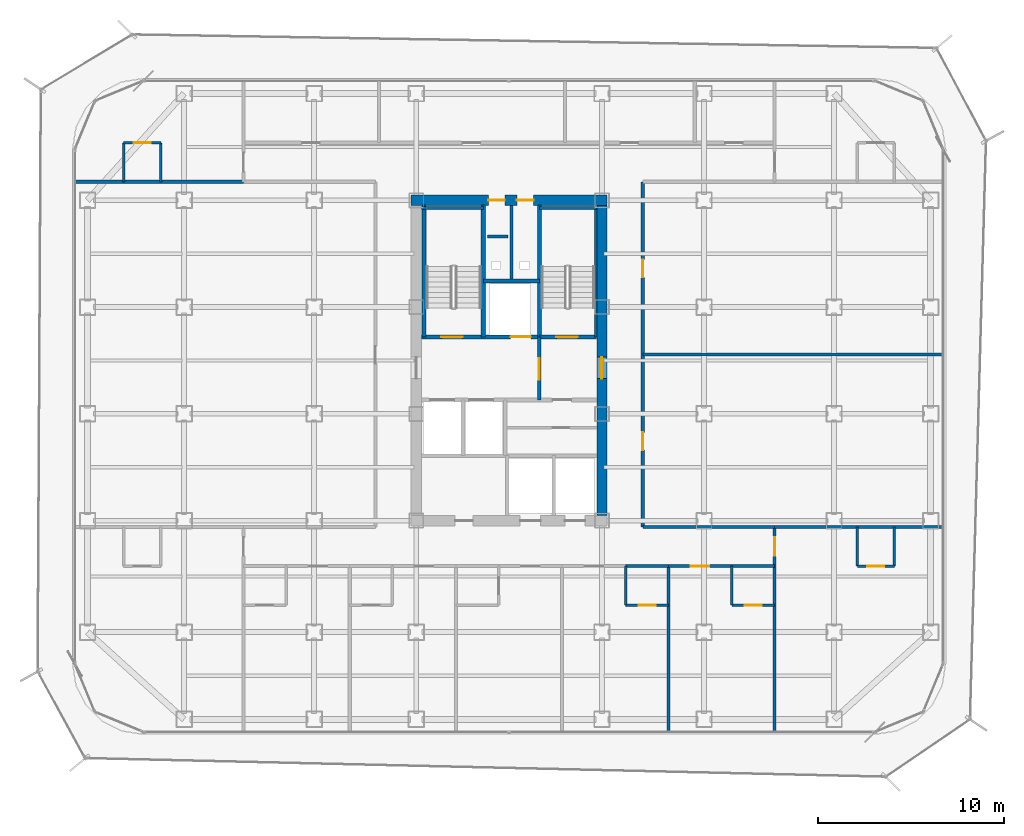
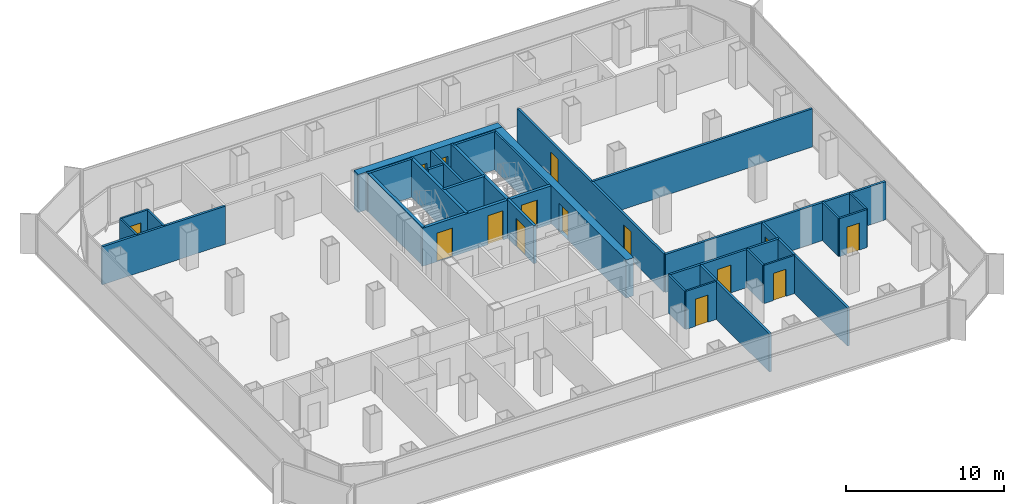
# One storey, part 17 of 21: 34 walls, 15 doors, 15 openings.
"""IFC4 building model written with IfcOpenShell, lengths in metres."""

from ifc_helpers import new_model, si_unit, direction, frame, frame_2d, origin, place, context, subcontext, project, spatial, rectangle, extrude, material, layer, layer_set, type_object, element, fill, save


model = new_model("IFC4")

# Units and contexts
model_context = context("Model", 3, precision=1e-05, world=origin(), true_north=direction((0.0, 1.0)))
body_context = subcontext(model_context, "Body", "Model", "MODEL_VIEW")
ifc_project = project(units=[si_unit("LENGTHUNIT", "METRE"), si_unit("AREAUNIT", "SQUARE_METRE"), si_unit("VOLUMEUNIT", "CUBIC_METRE"), si_unit("PLANEANGLEUNIT", "RADIAN"), si_unit("MASSUNIT", "GRAM", prefix="KILO")], contexts=[model_context])

# Site, building, storey
site_placement = place(None, origin())
site = spatial("IfcSite", under=ifc_project, at=site_placement, CompositionType="ELEMENT")
building_placement = place(site_placement, origin())
building = spatial("IfcBuilding", under=site, at=building_placement, Name="Kolveth Station Tower", CompositionType="ELEMENT")
storey_placement = place(building_placement, frame((0.0, 0.0, 102.300048828125)))
storey = spatial("IfcBuildingStorey", under=building, at=storey_placement, Name="L27", CompositionType="ELEMENT", Elevation=102.300048828125)

# Wall, openings, doors
ifc_material_1 = material(Name="Concrete C60/75", Category="concrete")
ifc_layer_1 = layer(ifc_material_1, 0.550048828125)
ifc_layer_set_1 = layer_set([ifc_layer_1], Name="Concrete C60/75")
wall_type_1 = type_object("IfcWallType", Name="Wall_CW-550", PredefinedType="SHEAR", material=ifc_layer_set_1)
wall_1_placement = place(storey_placement, frame((18.22509765625, 28.75, 0.0), z_axis=(0.0, 0.0, 1.0), x_axis=(1.0, 0.0, 0.0)))
wall_1 = element("IfcWall", 1, at=wall_1_placement, inside=storey, type_object=wall_type_1, Name="L27 Core RC Shear Wall N", PredefinedType="SHEAR", context=body_context, shape_type="SweptSolid", body=[
    extrude(rectangle(XDim=10.5498046875, YDim=0.550048828125, at=frame_2d((5.27490234375, 0.0))), origin(), (0.0, 0.0, 1.0), 2.949951171875),
])
opening_1_placement = place(wall_1_placement, frame((4.155029296875, 0.0, 0.0)))
opening_1 = element("IfcOpeningElement", 2, at=opening_1_placement, cuts=wall_1, Name="Opening RD1", PredefinedType="OPENING", context=body_context, shape_type="SweptSolid", body=[
    extrude(rectangle(XDim=0.89990234375, YDim=2.050048828125, at=frame_2d((0.449951171875, 1.02490234375))), frame((0.0, 0.284912109375, 0.0), z_axis=(0.0, -1.0, 0.0), x_axis=(1.0, 0.0, 0.0)), (0.0, 0.0, 1.0), 0.570068359375),
])
opening_2_placement = place(wall_1_placement, frame((5.695068359375, 0.0, 0.0)))
opening_2 = element("IfcOpeningElement", 3, at=opening_2_placement, cuts=wall_1, Name="Opening RD1", PredefinedType="OPENING", context=body_context, shape_type="SweptSolid", body=[
    extrude(rectangle(XDim=0.89990234375, YDim=2.050048828125, at=frame_2d((0.449951171875, 1.02490234375))), frame((0.0, 0.284912109375, 0.0), z_axis=(0.0, -1.0, 0.0), x_axis=(1.0, 0.0, 0.0)), (0.0, 0.0, 1.0), 0.570068359375),
])
ifc_material_2 = material(Name="Fire-rated Steel S355 riser access leaf", Category="steel")
door_type_1 = type_object("IfcDoorType", Name="Door_RD1", OperationType="NOTDEFINED", PredefinedType="DOOR", material=ifc_material_2)
door_1_placement = place(opening_1_placement, origin())
door_1 = element("IfcDoor", 4, at=door_1_placement, inside=storey, type_object=door_type_1, Name="L27 Electrical Riser Access Door", OperationType="SINGLE_SWING_LEFT", OverallHeight=2.050048828125, OverallWidth=0.89990234375, PredefinedType="DOOR", context=body_context, shape_type="SweptSolid", body=[
    extrude(rectangle(XDim=0.89990234375, YDim=2.050048828125, at=frame_2d((0.449951171875, 1.02490234375))), frame((0.0, 0.02490234375, 0.0), z_axis=(0.0, -1.0, 0.0), x_axis=(1.0, 0.0, 0.0)), (0.0, 0.0, 1.0), 0.050048828125),
])
fill(opening_1, door_1)
door_2_placement = place(opening_2_placement, origin())
door_2 = element("IfcDoor", 5, at=door_2_placement, inside=storey, type_object=door_type_1, Name="L27 Smoke Duct Access Door", OperationType="SINGLE_SWING_RIGHT", OverallHeight=2.050048828125, OverallWidth=0.89990234375, PredefinedType="DOOR", context=body_context, shape_type="SweptSolid", body=[
    extrude(rectangle(XDim=0.89990234375, YDim=2.050048828125, at=frame_2d((0.449951171875, 1.02490234375))), frame((0.0, 0.02490234375, 0.0), z_axis=(0.0, -1.0, 0.0), x_axis=(1.0, 0.0, 0.0)), (0.0, 0.0, 1.0), 0.050048828125),
])
fill(opening_2, door_2)

# Wall, opening, door
wall_2_placement = place(storey_placement, frame((28.5, 11.77490234375, 0.0), z_axis=(0.0, 0.0, 1.0), x_axis=(0.0, 1.0, 0.0)))
wall_2 = element("IfcWall", 6, at=wall_2_placement, inside=storey, type_object=wall_type_1, Name="L27 Core RC Shear Wall E", PredefinedType="SHEAR", context=body_context, shape_type="SweptSolid", body=[
    extrude(rectangle(XDim=16.7001953125, YDim=0.550048828125, at=frame_2d((8.35009765625, 0.0))), origin(), (0.0, 0.0, 1.0), 2.949951171875),
])
opening_3_placement = place(wall_2_placement, frame((7.375, 0.0, 0.0)))
opening_3 = element("IfcOpeningElement", 7, at=opening_3_placement, cuts=wall_2, Name="Opening FD1", PredefinedType="OPENING", context=body_context, shape_type="SweptSolid", body=[
    extrude(rectangle(XDim=1.14990234375, YDim=2.199951171875, at=frame_2d((0.574951171875, 1.10009765625))), frame((0.0, 0.284912109375, 0.0), z_axis=(0.0, -1.0, 0.0), x_axis=(1.0, 0.0, 0.0)), (0.0, 0.0, 1.0), 0.570068359375),
])
ifc_material_3 = material(Name="Fire-rated Steel S355 leaf and frame", Category="steel")
door_type_2 = type_object("IfcDoorType", Name="Door_FD1", OperationType="NOTDEFINED", PredefinedType="DOOR", material=ifc_material_3)
door_3_placement = place(opening_3_placement, origin())
door_3 = element("IfcDoor", 8, at=door_3_placement, inside=storey, type_object=door_type_2, Name="L27 East Corridor to Stair Lobby Door", OperationType="SINGLE_SWING_RIGHT", OverallHeight=2.199951171875, OverallWidth=1.14990234375, PredefinedType="DOOR", context=body_context, shape_type="SweptSolid", body=[
    extrude(rectangle(XDim=1.14990234375, YDim=2.199951171875, at=frame_2d((0.574951171875, 1.10009765625))), frame((0.0, 0.02490234375, 0.0), z_axis=(0.0, -1.0, 0.0), x_axis=(1.0, 0.0, 0.0)), (0.0, 0.0, 1.0), 0.050048828125),
])
fill(opening_3, door_3)

# Walls
ifc_material_4 = material(Name="Moisture-resistant gypsum partition")
ifc_layer_2 = layer(ifc_material_4, 0.135009765625)
ifc_layer_set_2 = layer_set([ifc_layer_2], Name="Moisture-resistant gypsum partition")
wall_type_2 = type_object("IfcWallType", Name="Wall_IW-135", PredefinedType="PARTITIONING", material=ifc_layer_set_2)
wall_3_placement = place(storey_placement, frame((28.16748046875, 21.389892578125, 0.0), z_axis=(0.0, 0.0, 1.0), x_axis=(0.0, 1.0, 0.0)))
element("IfcWall", 9, at=wall_3_placement, inside=storey, type_object=wall_type_2, Name="L27 Stair Shaft Wall WL-L27-ST2-E", PredefinedType="PARTITIONING", context=body_context, shape_type="SweptSolid", body=[
    extrude(rectangle(XDim=6.945068359375, YDim=0.135009765625, at=frame_2d((3.47265625, 0.0))), origin(), (0.0, 0.0, 1.0), 2.949951171875),
])
for number, where, z_axis, x_axis, name in (
    (10, (2.75, 29.75, 0.0), (0.0, 0.0, 1.0), (0.0, 1.0, 0.0), "L27 Partition Wall WL-L27-WS2-BV1"),
    (11, (4.75, 29.75, 0.0), (0.0, 0.0, 1.0), (0.0, 1.0, 0.0), "L27 Partition Wall WL-L27-WS2-BV2"),
):
    element("IfcWall", number, at=place(storey_placement, frame(where, z_axis=z_axis, x_axis=x_axis)), inside=storey, type_object=wall_type_2, Name=name, PredefinedType="PARTITIONING", context=body_context, shape_type="SweptSolid", body=[
        extrude(rectangle(XDim=2.10009765625, YDim=0.135009765625, at=frame_2d((1.050048828125, 0.0))), origin(), (0.0, 0.0, 1.0), 2.949951171875),
    ])

# Wall, opening, door
wall_4_placement = place(storey_placement, frame((2.75, 31.85009765625, 0.0), z_axis=(0.0, 0.0, 1.0), x_axis=(1.0, 0.0, 0.0)))
wall_4 = element("IfcWall", 12, at=wall_4_placement, inside=storey, type_object=wall_type_2, Name="L27 Partition Wall WL-L27-WS2-BH", PredefinedType="PARTITIONING", context=body_context, shape_type="SweptSolid", body=[
    extrude(rectangle(XDim=2.0, YDim=0.135009765625, at=frame_2d((1.0, 0.0))), origin(), (0.0, 0.0, 1.0), 2.949951171875),
])
opening_4_placement = place(wall_4_placement, frame((0.5400390625, 0.0, 0.0)))
opening_4 = element("IfcOpeningElement", 13, at=opening_4_placement, cuts=wall_4, Name="Opening ID2", PredefinedType="OPENING", context=body_context, shape_type="SweptSolid", body=[
    extrude(rectangle(XDim=0.919921875, YDim=2.10009765625, at=frame_2d((0.4599609375, 1.050048828125))), frame((0.0, 0.077392578125, 0.0), z_axis=(0.0, -1.0, 0.0), x_axis=(1.0, 0.0, 0.0)), (0.0, 0.0, 1.0), 0.155029296875),
])
ifc_material_5 = material(Name="Moisture-resistant hardwood leaf", Category="wood")
door_type_3 = type_object("IfcDoorType", Name="Door_ID2", OperationType="NOTDEFINED", PredefinedType="DOOR", material=ifc_material_5)
door_4_placement = place(opening_4_placement, frame((0.919921875, 0.0, 0.0), z_axis=(0.0, 0.0, 1.0), x_axis=(-1.0, 0.0, 0.0)))
door_4 = element("IfcDoor", 14, at=door_4_placement, inside=storey, type_object=door_type_3, Name="L27 Hotel Guest Room WS2 En-Suite Door", OperationType="SINGLE_SWING_RIGHT", OverallHeight=2.10009765625, OverallWidth=0.919921875, PredefinedType="DOOR", context=body_context, shape_type="SweptSolid", body=[
    extrude(rectangle(XDim=0.919921875, YDim=2.10009765625, at=frame_2d((0.4599609375, 1.050048828125))), frame((0.0, 0.02490234375, 0.0), z_axis=(0.0, -1.0, 0.0), x_axis=(1.0, 0.0, 0.0)), (0.0, 0.0, 1.0), 0.050048828125),
])
fill(opening_4, door_4)

# Walls
for number, where, z_axis, x_axis, name in (
    (15, (42.25, 9.050048828125, 0.0), (0.0, 0.0, 1.0), (0.0, 1.0, 0.0), "L27 Partition Wall WL-L27-ES1-BV1"),
    (16, (44.25, 9.050048828125, 0.0), (0.0, 0.0, 1.0), (0.0, 1.0, 0.0), "L27 Partition Wall WL-L27-ES1-BV2"),
):
    element("IfcWall", number, at=place(storey_placement, frame(where, z_axis=z_axis, x_axis=x_axis)), inside=storey, type_object=wall_type_2, Name=name, PredefinedType="PARTITIONING", context=body_context, shape_type="SweptSolid", body=[
        extrude(rectangle(XDim=2.099853515625, YDim=0.135009765625, at=frame_2d((1.0498046875, 0.0))), origin(), (0.0, 0.0, 1.0), 2.949951171875),
    ])

# Wall, opening, door
wall_5_placement = place(storey_placement, frame((42.25, 9.050048828125, 0.0), z_axis=(0.0, 0.0, 1.0), x_axis=(1.0, 0.0, 0.0)))
wall_5 = element("IfcWall", 17, at=wall_5_placement, inside=storey, type_object=wall_type_2, Name="L27 Partition Wall WL-L27-ES1-BH", PredefinedType="PARTITIONING", context=body_context, shape_type="SweptSolid", body=[
    extrude(rectangle(XDim=2.0, YDim=0.135009765625, at=frame_2d((1.0, 0.0))), origin(), (0.0, 0.0, 1.0), 2.949951171875),
])
opening_5_placement = place(wall_5_placement, frame((0.5400390625, 0.0, 0.0)))
opening_5 = element("IfcOpeningElement", 18, at=opening_5_placement, cuts=wall_5, Name="Opening ID2", PredefinedType="OPENING", context=body_context, shape_type="SweptSolid", body=[
    extrude(rectangle(XDim=0.919921875, YDim=2.10009765625, at=frame_2d((0.4599609375, 1.050048828125))), frame((0.0, 0.077392578125, 0.0), z_axis=(0.0, -1.0, 0.0), x_axis=(1.0, 0.0, 0.0)), (0.0, 0.0, 1.0), 0.155029296875),
])
door_5_placement = place(opening_5_placement, origin())
door_5 = element("IfcDoor", 19, at=door_5_placement, inside=storey, type_object=door_type_3, Name="L27 Hotel Corner Suite ES1 En-Suite Door", OperationType="SINGLE_SWING_RIGHT", OverallHeight=2.10009765625, OverallWidth=0.919921875, PredefinedType="DOOR", context=body_context, shape_type="SweptSolid", body=[
    extrude(rectangle(XDim=0.919921875, YDim=2.10009765625, at=frame_2d((0.4599609375, 1.050048828125))), frame((0.0, 0.02490234375, 0.0), z_axis=(0.0, -1.0, 0.0), x_axis=(1.0, 0.0, 0.0)), (0.0, 0.0, 1.0), 0.050048828125),
])
fill(opening_5, door_5)

# Wall
wall_6_placement = place(storey_placement, frame((29.780029296875, 6.949951171875, 0.0), z_axis=(0.0, 0.0, 1.0), x_axis=(0.0, 1.0, 0.0)))
element("IfcWall", 20, at=wall_6_placement, inside=storey, type_object=wall_type_2, Name="L27 Partition Wall WL-L27-HS4-BV", PredefinedType="PARTITIONING", context=body_context, shape_type="SweptSolid", body=[
    extrude(rectangle(XDim=2.10009765625, YDim=0.135009765625, at=frame_2d((1.050048828125, 0.0))), origin(), (0.0, 0.0, 1.0), 2.949951171875),
])

# Wall, opening, door
wall_7_placement = place(storey_placement, frame((29.780029296875, 6.949951171875, 0.0), z_axis=(0.0, 0.0, 1.0), x_axis=(1.0, 0.0, 0.0)))
wall_7 = element("IfcWall", 21, at=wall_7_placement, inside=storey, type_object=wall_type_2, Name="L27 Partition Wall WL-L27-HS4-BH", PredefinedType="PARTITIONING", context=body_context, shape_type="SweptSolid", body=[
    extrude(rectangle(XDim=2.300048828125, YDim=0.135009765625, at=frame_2d((1.14990234375, 0.0))), origin(), (0.0, 0.0, 1.0), 2.949951171875),
])
opening_6_placement = place(wall_7_placement, frame((0.68994140625, 0.0, 0.0)))
opening_6 = element("IfcOpeningElement", 22, at=opening_6_placement, cuts=wall_7, Name="Opening ID2", PredefinedType="OPENING", context=body_context, shape_type="SweptSolid", body=[
    extrude(rectangle(XDim=0.919921875, YDim=2.10009765625, at=frame_2d((0.4599609375, 1.050048828125))), frame((0.0, 0.077392578125, 0.0), z_axis=(0.0, -1.0, 0.0), x_axis=(1.0, 0.0, 0.0)), (0.0, 0.0, 1.0), 0.155029296875),
])
door_6_placement = place(opening_6_placement, origin())
door_6 = element("IfcDoor", 23, at=door_6_placement, inside=storey, type_object=door_type_3, Name="L27 Hotel Guest Room HS4 En-Suite Door", OperationType="SINGLE_SWING_RIGHT", OverallHeight=2.10009765625, OverallWidth=0.919921875, PredefinedType="DOOR", context=body_context, shape_type="SweptSolid", body=[
    extrude(rectangle(XDim=0.919921875, YDim=2.10009765625, at=frame_2d((0.4599609375, 1.050048828125))), frame((0.0, 0.02490234375, 0.0), z_axis=(0.0, -1.0, 0.0), x_axis=(1.0, 0.0, 0.0)), (0.0, 0.0, 1.0), 0.050048828125),
])
fill(opening_6, door_6)

# Wall
wall_8_placement = place(storey_placement, frame((35.5, 6.949951171875, 0.0), z_axis=(0.0, 0.0, 1.0), x_axis=(0.0, 1.0, 0.0)))
element("IfcWall", 24, at=wall_8_placement, inside=storey, type_object=wall_type_2, Name="L27 Partition Wall WL-L27-HS5-BV", PredefinedType="PARTITIONING", context=body_context, shape_type="SweptSolid", body=[
    extrude(rectangle(XDim=2.10009765625, YDim=0.135009765625, at=frame_2d((1.050048828125, 0.0))), origin(), (0.0, 0.0, 1.0), 2.949951171875),
])

# Wall, opening, door
wall_9_placement = place(storey_placement, frame((35.5, 6.949951171875, 0.0), z_axis=(0.0, 0.0, 1.0), x_axis=(1.0, 0.0, 0.0)))
wall_9 = element("IfcWall", 25, at=wall_9_placement, inside=storey, type_object=wall_type_2, Name="L27 Partition Wall WL-L27-HS5-BH", PredefinedType="PARTITIONING", context=body_context, shape_type="SweptSolid", body=[
    extrude(rectangle(XDim=2.300048828125, YDim=0.135009765625, at=frame_2d((1.14990234375, 0.0))), origin(), (0.0, 0.0, 1.0), 2.949951171875),
])
opening_7_placement = place(wall_9_placement, frame((0.68994140625, 0.0, 0.0)))
opening_7 = element("IfcOpeningElement", 26, at=opening_7_placement, cuts=wall_9, Name="Opening ID2", PredefinedType="OPENING", context=body_context, shape_type="SweptSolid", body=[
    extrude(rectangle(XDim=0.919921875, YDim=2.10009765625, at=frame_2d((0.4599609375, 1.050048828125))), frame((0.0, 0.077392578125, 0.0), z_axis=(0.0, -1.0, 0.0), x_axis=(1.0, 0.0, 0.0)), (0.0, 0.0, 1.0), 0.155029296875),
])
door_7_placement = place(opening_7_placement, origin())
door_7 = element("IfcDoor", 27, at=door_7_placement, inside=storey, type_object=door_type_3, Name="L27 Hotel Guest Room HS5 En-Suite Door", OperationType="SINGLE_SWING_RIGHT", OverallHeight=2.10009765625, OverallWidth=0.919921875, PredefinedType="DOOR", context=body_context, shape_type="SweptSolid", body=[
    extrude(rectangle(XDim=0.919921875, YDim=2.10009765625, at=frame_2d((0.4599609375, 1.050048828125))), frame((0.0, 0.02490234375, 0.0), z_axis=(0.0, -1.0, 0.0), x_axis=(1.0, 0.0, 0.0)), (0.0, 0.0, 1.0), 0.050048828125),
])
fill(opening_7, door_7)

# Walls
ifc_material_6 = material(Name="Acoustic double-stud gypsum partition")
ifc_layer_3 = layer(ifc_material_6, 0.1650390625)
ifc_layer_set_3 = layer_set([ifc_layer_3], Name="Acoustic double-stud gypsum partition")
wall_type_3 = type_object("IfcWallType", Name="Wall_IW-165", PredefinedType="PARTITIONING", material=ifc_layer_set_3)
wall_10_placement = place(storey_placement, frame((18.784912109375, 28.3349609375, 0.0), z_axis=(0.0, 0.0, 1.0), x_axis=(1.0, 0.0, 0.0)))
element("IfcWall", 28, at=wall_10_placement, inside=storey, type_object=wall_type_3, Name="L27 Stair Shaft Wall WL-L27-ST1-N", PredefinedType="PARTITIONING", context=body_context, shape_type="SweptSolid", body=[
    extrude(rectangle(XDim=3.3251953125, YDim=0.1650390625, at=frame_2d((1.66259765625, 0.0))), origin(), (0.0, 0.0, 1.0), 2.949951171875),
])
wall_11_placement = place(storey_placement, frame((25.1298828125, 28.3349609375, 0.0), z_axis=(0.0, 0.0, 1.0), x_axis=(1.0, 0.0, 0.0)))
element("IfcWall", 29, at=wall_11_placement, inside=storey, type_object=wall_type_3, Name="L27 Stair Shaft Wall WL-L27-ST2-N", PredefinedType="PARTITIONING", context=body_context, shape_type="SweptSolid", body=[
    extrude(rectangle(XDim=3.085205078125, YDim=0.1650390625, at=frame_2d((1.54248046875, 0.0))), origin(), (0.0, 0.0, 1.0), 2.949951171875),
])
wall_12_placement = place(storey_placement, frame((23.6201171875, 24.39990234375, 0.0), z_axis=(0.0, 0.0, 1.0), x_axis=(0.0, 1.0, 0.0)))
element("IfcWall", 30, at=wall_12_placement, inside=storey, type_object=wall_type_3, Name="L27 Partition Wall WL-L27-RSR-M", PredefinedType="PARTITIONING", context=body_context, shape_type="SweptSolid", body=[
    extrude(rectangle(XDim=4.065185546875, YDim=0.1650390625, at=frame_2d((2.03271484375, 0.0))), origin(), (0.0, 0.0, 1.0), 2.949951171875),
])
wall_13_placement = place(storey_placement, frame((30.699951171875, 11.14990234375, 0.0), z_axis=(0.0, 0.0, 1.0), x_axis=(1.0, 0.0, 0.0)))
element("IfcWall", 31, at=wall_13_placement, inside=storey, type_object=wall_type_3, Name="L27 Partition Wall WL-L27-HSET", PredefinedType="PARTITIONING", context=body_context, shape_type="SweptSolid", body=[
    extrude(rectangle(XDim=7.10009765625, YDim=0.1650390625, at=frame_2d((3.550048828125, 0.0))), origin(), (0.0, 0.0, 1.0), 2.949951171875),
])

# Wall, openings, doors
wall_14_placement = place(storey_placement, frame((30.699951171875, 11.14990234375, 0.0), z_axis=(0.0, 0.0, 1.0), x_axis=(0.0, 1.0, 0.0)))
wall_14 = element("IfcWall", 32, at=wall_14_placement, inside=storey, type_object=wall_type_3, Name="L27 Partition Wall WL-L27-HE", PredefinedType="PARTITIONING", context=body_context, shape_type="SweptSolid", body=[
    extrude(rectangle(XDim=18.60009765625, YDim=0.1650390625, at=frame_2d((9.300048828125, 0.0))), origin(), (0.0, 0.0, 1.0), 2.949951171875),
])
opening_8_placement = place(wall_14_placement, frame((4.14990234375, 0.0, 0.0)))
opening_8 = element("IfcOpeningElement", 33, at=opening_8_placement, cuts=wall_14, Name="Opening ID1", PredefinedType="OPENING", context=body_context, shape_type="SweptSolid", body=[
    extrude(rectangle(XDim=0.949951171875, YDim=2.14990234375, at=frame_2d((0.47509765625, 1.074951171875))), frame((0.0, 0.092529296875, 0.0), z_axis=(0.0, -1.0, 0.0), x_axis=(1.0, 0.0, 0.0)), (0.0, 0.0, 1.0), 0.18505859375),
])
opening_9_placement = place(wall_14_placement, frame((13.449951171875, 0.0, 0.0)))
opening_9 = element("IfcOpeningElement", 34, at=opening_9_placement, cuts=wall_14, Name="Opening ID1", PredefinedType="OPENING", context=body_context, shape_type="SweptSolid", body=[
    extrude(rectangle(XDim=0.949951171875, YDim=2.14990234375, at=frame_2d((0.47509765625, 1.074951171875))), frame((0.0, 0.092529296875, 0.0), z_axis=(0.0, -1.0, 0.0), x_axis=(1.0, 0.0, 0.0)), (0.0, 0.0, 1.0), 0.18505859375),
])
ifc_material_7 = material(Name="Acoustic hardwood leaf and aluminium frame", Category="wood")
door_type_4 = type_object("IfcDoorType", Name="Door_ID1", OperationType="NOTDEFINED", PredefinedType="DOOR", material=ifc_material_7)
door_8_placement = place(opening_8_placement, origin())
door_8 = element("IfcDoor", 35, at=door_8_placement, inside=storey, type_object=door_type_4, Name="L27 Hotel Guest Lounge East Door", OperationType="SINGLE_SWING_LEFT", OverallHeight=2.14990234375, OverallWidth=0.949951171875, PredefinedType="DOOR", context=body_context, shape_type="SweptSolid", body=[
    extrude(rectangle(XDim=0.949951171875, YDim=2.14990234375, at=frame_2d((0.47509765625, 1.074951171875))), frame((0.0, 0.02490234375, 0.0), z_axis=(0.0, -1.0, 0.0), x_axis=(1.0, 0.0, 0.0)), (0.0, 0.0, 1.0), 0.050048828125),
])
fill(opening_8, door_8)
door_9_placement = place(opening_9_placement, origin())
door_9 = element("IfcDoor", 36, at=door_9_placement, inside=storey, type_object=door_type_4, Name="L27 Spa Treatment Suite Door", OperationType="SINGLE_SWING_RIGHT", OverallHeight=2.14990234375, OverallWidth=0.949951171875, PredefinedType="DOOR", context=body_context, shape_type="SweptSolid", body=[
    extrude(rectangle(XDim=0.949951171875, YDim=2.14990234375, at=frame_2d((0.47509765625, 1.074951171875))), frame((0.0, 0.02490234375, 0.0), z_axis=(0.0, -1.0, 0.0), x_axis=(1.0, 0.0, 0.0)), (0.0, 0.0, 1.0), 0.050048828125),
])
fill(opening_9, door_9)

# Wall, opening, door
wall_15_placement = place(storey_placement, frame((37.800048828125, 0.159912109375, 0.0), z_axis=(0.0, 0.0, 1.0), x_axis=(0.0, 1.0, 0.0)))
wall_15 = element("IfcWall", 37, at=wall_15_placement, inside=storey, type_object=wall_type_3, Name="L27 Partition Wall WL-L27-END-ES", PredefinedType="PARTITIONING", context=body_context, shape_type="SweptSolid", body=[
    extrude(rectangle(XDim=10.989990234375, YDim=0.1650390625, at=frame_2d((5.4951171875, 0.0))), origin(), (0.0, 0.0, 1.0), 2.949951171875),
])
opening_10_placement = place(wall_15_placement, frame((9.43994140625, 0.0, 0.0)))
opening_10 = element("IfcOpeningElement", 38, at=opening_10_placement, cuts=wall_15, Name="Opening FD3", PredefinedType="OPENING", context=body_context, shape_type="SweptSolid", body=[
    extrude(rectangle(XDim=1.0, YDim=2.14990234375, at=frame_2d((0.5, 1.074951171875))), frame((0.0, 0.092529296875, 0.0), z_axis=(0.0, -1.0, 0.0), x_axis=(1.0, 0.0, 0.0)), (0.0, 0.0, 1.0), 0.18505859375),
])
ifc_material_8 = material(Name="Fire-rated hardwood leaf and aluminium frame", Category="wood")
door_type_5 = type_object("IfcDoorType", Name="Door_FD3", OperationType="NOTDEFINED", PredefinedType="DOOR", material=ifc_material_8)
door_10_placement = place(opening_10_placement, frame((1.0, 0.0, 0.0), z_axis=(0.0, 0.0, 1.0), x_axis=(-1.0, 0.0, 0.0)))
door_10 = element("IfcDoor", 39, at=door_10_placement, inside=storey, type_object=door_type_5, Name="L27 Hotel Corner Suite ES1 Entrance Door", OperationType="SINGLE_SWING_LEFT", OverallHeight=2.14990234375, OverallWidth=1.0, PredefinedType="DOOR", context=body_context, shape_type="SweptSolid", body=[
    extrude(rectangle(XDim=1.0, YDim=2.14990234375, at=frame_2d((0.5, 1.074951171875))), frame((0.0, 0.02490234375, 0.0), z_axis=(0.0, -1.0, 0.0), x_axis=(1.0, 0.0, 0.0)), (0.0, 0.0, 1.0), 0.050048828125),
])
fill(opening_10, door_10)

# Walls
for number, where, z_axis, x_axis, name in (
    (40, (0.159912109375, 29.75, 0.0), (0.0, 0.0, 1.0), (1.0, 0.0, 0.0), "L27 Partition Wall WL-L27-WM2"),
    (41, (37.800048828125, 11.14990234375, 0.0), (0.0, 0.0, 1.0), (1.0, 0.0, 0.0), "L27 Partition Wall WL-L27-EM1"),
):
    element("IfcWall", number, at=place(storey_placement, frame(where, z_axis=z_axis, x_axis=x_axis)), inside=storey, type_object=wall_type_3, Name=name, PredefinedType="PARTITIONING", context=body_context, shape_type="SweptSolid", body=[
        extrude(rectangle(XDim=9.0400390625, YDim=0.1650390625, at=frame_2d((4.52001953125, 0.0))), origin(), (0.0, 0.0, 1.0), 2.949951171875),
    ])
wall_16_placement = place(storey_placement, frame((29.780029296875, 9.050048828125, 0.0), z_axis=(0.0, 0.0, 1.0), x_axis=(1.0, 0.0, 0.0)))
element("IfcWall", 42, at=wall_16_placement, inside=storey, type_object=wall_type_3, Name="L27 Partition Wall WL-L27-HS4-BCOR", PredefinedType="PARTITIONING", context=body_context, shape_type="SweptSolid", body=[
    extrude(rectangle(XDim=2.300048828125, YDim=0.1650390625, at=frame_2d((1.14990234375, 0.0))), origin(), (0.0, 0.0, 1.0), 2.949951171875),
])
wall_17_placement = place(storey_placement, frame((32.080078125, 0.159912109375, 0.0), z_axis=(0.0, 0.0, 1.0), x_axis=(0.0, 1.0, 0.0)))
element("IfcWall", 43, at=wall_17_placement, inside=storey, type_object=wall_type_3, Name="L27 Partition Wall WL-L27-HSK-4", PredefinedType="PARTITIONING", context=body_context, shape_type="SweptSolid", body=[
    extrude(rectangle(XDim=8.89013671875, YDim=0.1650390625, at=frame_2d((4.445068359375, 0.0))), origin(), (0.0, 0.0, 1.0), 2.949951171875),
])
wall_18_placement = place(storey_placement, frame((35.5, 9.050048828125, 0.0), z_axis=(0.0, 0.0, 1.0), x_axis=(1.0, 0.0, 0.0)))
element("IfcWall", 44, at=wall_18_placement, inside=storey, type_object=wall_type_3, Name="L27 Partition Wall WL-L27-HS5-BCOR", PredefinedType="PARTITIONING", context=body_context, shape_type="SweptSolid", body=[
    extrude(rectangle(XDim=2.300048828125, YDim=0.1650390625, at=frame_2d((1.14990234375, 0.0))), origin(), (0.0, 0.0, 1.0), 2.949951171875),
])

# Wall, opening, door
wall_19_placement = place(storey_placement, frame((32.080078125, 9.050048828125, 0.0), z_axis=(0.0, 0.0, 1.0), x_axis=(1.0, 0.0, 0.0)))
wall_19 = element("IfcWall", 45, at=wall_19_placement, inside=storey, type_object=wall_type_3, Name="L27 Partition Wall WL-L27-HS5-RCOR", PredefinedType="PARTITIONING", context=body_context, shape_type="SweptSolid", body=[
    extrude(rectangle(XDim=3.419921875, YDim=0.1650390625, at=frame_2d((1.7099609375, 0.0))), origin(), (0.0, 0.0, 1.0), 2.949951171875),
])
opening_11_placement = place(wall_19_placement, frame((1.2099609375, 0.0, 0.0)))
opening_11 = element("IfcOpeningElement", 46, at=opening_11_placement, cuts=wall_19, Name="Opening FD3", PredefinedType="OPENING", context=body_context, shape_type="SweptSolid", body=[
    extrude(rectangle(XDim=1.0, YDim=2.14990234375, at=frame_2d((0.5, 1.074951171875))), frame((0.0, 0.092529296875, 0.0), z_axis=(0.0, -1.0, 0.0), x_axis=(1.0, 0.0, 0.0)), (0.0, 0.0, 1.0), 0.18505859375),
])
door_11_placement = place(opening_11_placement, frame((1.0, 0.0, 0.0), z_axis=(0.0, 0.0, 1.0), x_axis=(-1.0, 0.0, 0.0)))
door_11 = element("IfcDoor", 47, at=door_11_placement, inside=storey, type_object=door_type_5, Name="L27 Hotel Guest Room HS5 Entrance Door", OperationType="SINGLE_SWING_LEFT", OverallHeight=2.14990234375, OverallWidth=1.0, PredefinedType="DOOR", context=body_context, shape_type="SweptSolid", body=[
    extrude(rectangle(XDim=1.0, YDim=2.14990234375, at=frame_2d((0.5, 1.074951171875))), frame((0.0, 0.02490234375, 0.0), z_axis=(0.0, -1.0, 0.0), x_axis=(1.0, 0.0, 0.0)), (0.0, 0.0, 1.0), 0.050048828125),
])
fill(opening_11, door_11)

# Walls
wall_20_placement = place(storey_placement, frame((30.699951171875, 20.449951171875, 0.0), z_axis=(0.0, 0.0, 1.0), x_axis=(1.0, 0.0, 0.0)))
element("IfcWall", 48, at=wall_20_placement, inside=storey, type_object=wall_type_3, Name="L27 Partition Wall WL-L27-HME-P1", PredefinedType="PARTITIONING", context=body_context, shape_type="SweptSolid", body=[
    extrude(rectangle(XDim=16.14013671875, YDim=0.1650390625, at=frame_2d((8.070068359375, 0.0))), origin(), (0.0, 0.0, 1.0), 2.949951171875),
])
wall_21_placement = place(storey_placement, frame((22.35009765625, 26.800048828125, 0.0), z_axis=(0.0, 0.0, 1.0), x_axis=(1.0, 0.0, 0.0)))
element("IfcWall", 49, at=wall_21_placement, inside=storey, type_object=wall_type_3, Name="L27 Acoustic Riser Dry-Lining Wall", PredefinedType="PARTITIONING", context=body_context, shape_type="SweptSolid", body=[
    extrude(rectangle(XDim=1.099853515625, YDim=0.1650390625, at=frame_2d((0.5498046875, 0.0))), origin(), (0.0, 0.0, 1.0), 2.949951171875),
])
ifc_material_9 = material(Name="Acoustic fire-rated gypsum blockwork", Category="masonry")
ifc_layer_4 = layer(ifc_material_9, 0.199951171875)
ifc_layer_set_4 = layer_set([ifc_layer_4], Name="Acoustic fire-rated gypsum blockwork")
wall_type_4 = type_object("IfcWallType", Name="Wall_IW-200", PredefinedType="PARTITIONING", material=ifc_layer_set_4)
wall_22_placement = place(storey_placement, frame((22.110107421875, 24.39990234375, 0.0), z_axis=(0.0, 0.0, 1.0), x_axis=(1.0, 0.0, 0.0)))
element("IfcWall", 50, at=wall_22_placement, inside=storey, type_object=wall_type_4, Name="L27 Partition Wall WL-L27-RSR-S", PredefinedType="PARTITIONING", context=body_context, shape_type="SweptSolid", body=[
    extrude(rectangle(XDim=3.019775390625, YDim=0.199951171875, at=frame_2d((1.509765625, 0.0))), origin(), (0.0, 0.0, 1.0), 2.949951171875),
])

# Wall, opening, door
wall_23_placement = place(storey_placement, frame((25.1298828125, 18.0, 0.0), z_axis=(0.0, 0.0, 1.0), x_axis=(0.0, 1.0, 0.0)))
wall_23 = element("IfcWall", 51, at=wall_23_placement, inside=storey, type_object=wall_type_4, Name="L27 Partition Wall WL-L27-FFL-E", PredefinedType="PARTITIONING", context=body_context, shape_type="SweptSolid", body=[
    extrude(rectangle(XDim=3.389892578125, YDim=0.199951171875, at=frame_2d((1.69482421875, 0.0))), origin(), (0.0, 0.0, 1.0), 2.949951171875),
])
opening_12_placement = place(wall_23_placement, frame((1.10009765625, 0.0, 0.0)))
opening_12 = element("IfcOpeningElement", 52, at=opening_12_placement, cuts=wall_23, Name="Opening FD1", PredefinedType="OPENING", context=body_context, shape_type="SweptSolid", body=[
    extrude(rectangle(XDim=1.14990234375, YDim=2.199951171875, at=frame_2d((0.574951171875, 1.10009765625))), frame((0.0, 0.10986328125, 0.0), z_axis=(0.0, -1.0, 0.0), x_axis=(1.0, 0.0, 0.0)), (0.0, 0.0, 1.0), 0.219970703125),
])
door_12_placement = place(opening_12_placement, origin())
door_12 = element("IfcDoor", 53, at=door_12_placement, inside=storey, type_object=door_type_2, Name="L27 Firefighting to Stair Lobby Door", OperationType="SINGLE_SWING_RIGHT", OverallHeight=2.199951171875, OverallWidth=1.14990234375, PredefinedType="DOOR", context=body_context, shape_type="SweptSolid", body=[
    extrude(rectangle(XDim=1.14990234375, YDim=2.199951171875, at=frame_2d((0.574951171875, 1.10009765625))), frame((0.0, 0.02490234375, 0.0), z_axis=(0.0, -1.0, 0.0), x_axis=(1.0, 0.0, 0.0)), (0.0, 0.0, 1.0), 0.050048828125),
])
fill(opening_12, door_12)

# Walls
ifc_material_10 = material(Name="Concrete C40/50", Category="concrete")
ifc_layer_5 = layer(ifc_material_10, 0.219970703125)
ifc_layer_set_5 = layer_set([ifc_layer_5], Name="Concrete C40/50")
wall_type_5 = type_object("IfcWallType", Name="Wall_IW-220", PredefinedType="SOLIDWALL", material=ifc_layer_set_5)
for number, where, z_axis, x_axis, name in (
    (54, (18.929931640625, 21.389892578125, 0.0), (0.0, 0.0, 1.0), (0.0, 1.0, 0.0), "L27 Stair Shaft Wall WL-L27-ST1-W"),
    (55, (22.110107421875, 21.389892578125, 0.0), (0.0, 0.0, 1.0), (0.0, 1.0, 0.0), "L27 Stair Shaft Wall WL-L27-ST1-E"),
    (56, (25.1298828125, 21.389892578125, 0.0), (0.0, 0.0, 1.0), (0.0, 1.0, 0.0), "L27 Stair Shaft Wall WL-L27-ST2-W"),
):
    element("IfcWall", number, at=place(storey_placement, frame(where, z_axis=z_axis, x_axis=x_axis)), inside=storey, type_object=wall_type_5, Name=name, PredefinedType="SOLIDWALL", context=body_context, shape_type="SweptSolid", body=[
        extrude(rectangle(XDim=7.110107421875, YDim=0.219970703125, at=frame_2d((3.55517578125, 0.0))), origin(), (0.0, 0.0, 1.0), 2.949951171875),
    ])

# Wall, openings, doors
wall_24_placement = place(storey_placement, frame((18.784912109375, 21.389892578125, 0.0), z_axis=(0.0, 0.0, 1.0), x_axis=(1.0, 0.0, 0.0)))
wall_24 = element("IfcWall", 57, at=wall_24_placement, inside=storey, type_object=wall_type_5, Name="L27 Stair Shaft Wall WL-L27-ST1-S", PredefinedType="SOLIDWALL", context=body_context, shape_type="SweptSolid", body=[
    extrude(rectangle(XDim=6.344970703125, YDim=0.219970703125, at=frame_2d((3.17236328125, 0.0))), origin(), (0.0, 0.0, 1.0), 2.949951171875),
])
opening_13_placement = place(wall_24_placement, frame((1.06494140625, 0.0, 0.0)))
opening_13 = element("IfcOpeningElement", 58, at=opening_13_placement, cuts=wall_24, Name="Opening FD1", PredefinedType="OPENING", context=body_context, shape_type="SweptSolid", body=[
    extrude(rectangle(XDim=1.14990234375, YDim=2.199951171875, at=frame_2d((0.574951171875, 1.10009765625))), frame((0.0, 0.119873046875, 0.0), z_axis=(0.0, -1.0, 0.0), x_axis=(1.0, 0.0, 0.0)), (0.0, 0.0, 1.0), 0.239990234375),
])
opening_14_placement = place(wall_24_placement, frame((4.794921875, 0.0, 0.0)))
opening_14 = element("IfcOpeningElement", 59, at=opening_14_placement, cuts=wall_24, Name="Opening LD1", PredefinedType="OPENING", context=body_context, shape_type="SweptSolid", body=[
    extrude(rectangle(XDim=1.10009765625, YDim=2.25, at=frame_2d((0.550048828125, 1.125))), frame((0.0, 0.119873046875, 0.0), z_axis=(0.0, -1.0, 0.0), x_axis=(1.0, 0.0, 0.0)), (0.0, 0.0, 1.0), 0.239990234375),
])
door_13_placement = place(opening_13_placement, frame((1.14990234375, 0.0, 0.0), z_axis=(0.0, 0.0, 1.0), x_axis=(-1.0, 0.0, 0.0)))
door_13 = element("IfcDoor", 60, at=door_13_placement, inside=storey, type_object=door_type_2, Name="L27 Stair ST1 Fire Door", OperationType="SINGLE_SWING_LEFT", OverallHeight=2.199951171875, OverallWidth=1.14990234375, PredefinedType="DOOR", context=body_context, shape_type="SweptSolid", body=[
    extrude(rectangle(XDim=1.14990234375, YDim=2.199951171875, at=frame_2d((0.574951171875, 1.10009765625))), frame((0.0, 0.02490234375, 0.0), z_axis=(0.0, -1.0, 0.0), x_axis=(1.0, 0.0, 0.0)), (0.0, 0.0, 1.0), 0.050048828125),
])
fill(opening_13, door_13)
ifc_material_11 = material(Name="Brushed stainless steel sliding landing doors", Category="steel")
door_type_6 = type_object("IfcDoorType", Name="Door_LD1", OperationType="NOTDEFINED", PredefinedType="DOOR", material=ifc_material_11)
door_14_placement = place(opening_14_placement, frame((1.10009765625, 0.0, 0.0), z_axis=(0.0, 0.0, 1.0), x_axis=(-1.0, 0.0, 0.0)))
door_14 = element("IfcDoor", 61, at=door_14_placement, inside=storey, type_object=door_type_6, Name="L27 Service Lift SV1 Landing Door", OperationType="DOUBLE_DOOR_SLIDING", OverallHeight=2.25, OverallWidth=1.10009765625, PredefinedType="DOOR", context=body_context, shape_type="SweptSolid", body=[
    extrude(rectangle(XDim=1.10009765625, YDim=2.25, at=frame_2d((0.550048828125, 1.125))), frame((0.0, 0.02490234375, 0.0), z_axis=(0.0, -1.0, 0.0), x_axis=(1.0, 0.0, 0.0)), (0.0, 0.0, 1.0), 0.050048828125),
])
fill(opening_14, door_14)

# Wall, opening, door
wall_25_placement = place(storey_placement, frame((25.1298828125, 21.389892578125, 0.0), z_axis=(0.0, 0.0, 1.0), x_axis=(1.0, 0.0, 0.0)))
wall_25 = element("IfcWall", 62, at=wall_25_placement, inside=storey, type_object=wall_type_5, Name="L27 Stair Shaft Wall WL-L27-ST2-S", PredefinedType="SOLIDWALL", context=body_context, shape_type="SweptSolid", body=[
    extrude(rectangle(XDim=3.085205078125, YDim=0.219970703125, at=frame_2d((1.54248046875, 0.0))), origin(), (0.0, 0.0, 1.0), 2.949951171875),
])
opening_15_placement = place(wall_25_placement, frame((0.919921875, 0.0, 0.0)))
opening_15 = element("IfcOpeningElement", 63, at=opening_15_placement, cuts=wall_25, Name="Opening FD1", PredefinedType="OPENING", context=body_context, shape_type="SweptSolid", body=[
    extrude(rectangle(XDim=1.14990234375, YDim=2.199951171875, at=frame_2d((0.574951171875, 1.10009765625))), frame((0.0, 0.119873046875, 0.0), z_axis=(0.0, -1.0, 0.0), x_axis=(1.0, 0.0, 0.0)), (0.0, 0.0, 1.0), 0.239990234375),
])
door_15_placement = place(opening_15_placement, frame((1.14990234375, 0.0, 0.0), z_axis=(0.0, 0.0, 1.0), x_axis=(-1.0, 0.0, 0.0)))
door_15 = element("IfcDoor", 64, at=door_15_placement, inside=storey, type_object=door_type_2, Name="L27 Stair ST2 Fire Door", OperationType="SINGLE_SWING_LEFT", OverallHeight=2.199951171875, OverallWidth=1.14990234375, PredefinedType="DOOR", context=body_context, shape_type="SweptSolid", body=[
    extrude(rectangle(XDim=1.14990234375, YDim=2.199951171875, at=frame_2d((0.574951171875, 1.10009765625))), frame((0.0, 0.02490234375, 0.0), z_axis=(0.0, -1.0, 0.0), x_axis=(1.0, 0.0, 0.0)), (0.0, 0.0, 1.0), 0.050048828125),
])
fill(opening_15, door_15)

save(model, "model.ifc")
